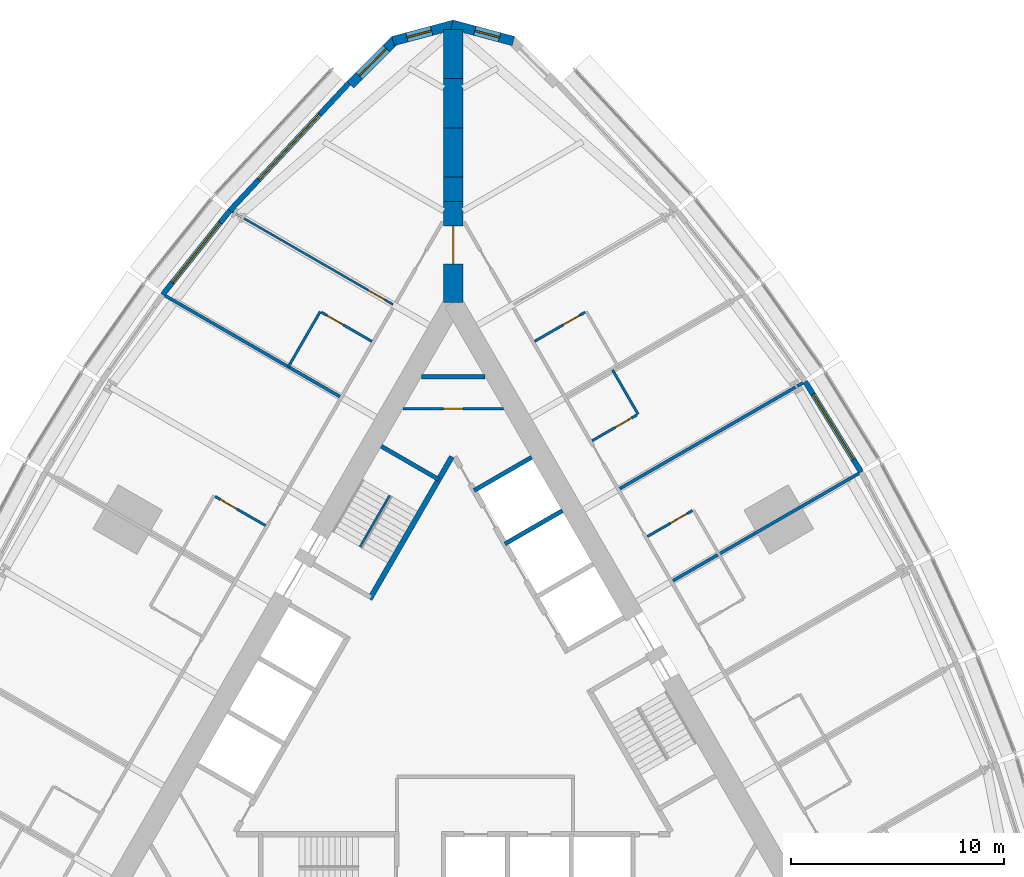
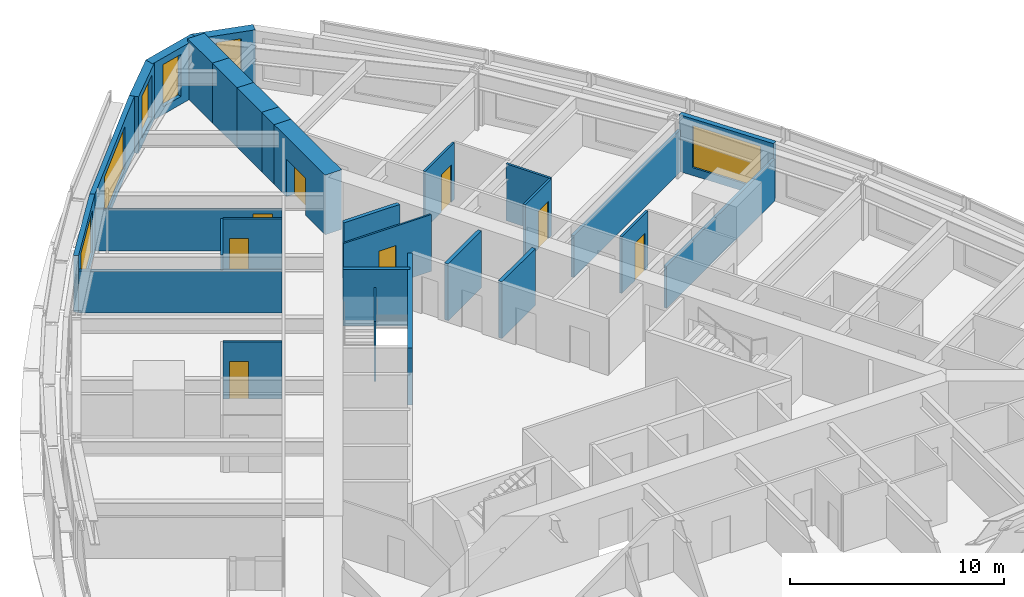
# One storey, part 12 of 14: 29 walls, 8 doors, 6 windows, 14 openings.
"""IFC4 building model written with IfcOpenShell, lengths in metres."""

from ifc_helpers import new_model, si_unit, direction, frame, frame_2d, origin, place, context, subcontext, project, spatial, polyline, rectangle, outline, extrude, material, layer, layer_set, type_object, element, fill, save


model = new_model("IFC4")

# Units and contexts
model_context = context("Model", 3, precision=1e-05, world=origin(), true_north=direction((0.0, 1.0)))
body_context = subcontext(model_context, "Body", "Model", "MODEL_VIEW")
ifc_project = project(units=[si_unit("LENGTHUNIT", "METRE"), si_unit("AREAUNIT", "SQUARE_METRE"), si_unit("VOLUMEUNIT", "CUBIC_METRE"), si_unit("PLANEANGLEUNIT", "RADIAN"), si_unit("MASSUNIT", "GRAM", prefix="KILO")], contexts=[model_context])

# Site, building, storey
site_placement = place(None, origin())
site = spatial("IfcSite", under=ifc_project, at=site_placement, CompositionType="ELEMENT")
building_placement = place(site_placement, origin())
building = spatial("IfcBuilding", under=site, at=building_placement, Name="Trikona Tower", CompositionType="ELEMENT")
storey_placement = place(building_placement, frame((0.0, 0.0, 35.300048828125)))
storey = spatial("IfcBuildingStorey", under=building, at=storey_placement, Name="L07", CompositionType="ELEMENT", Elevation=35.300048828125)

# Wall, opening, door
ifc_material_1 = material(Name="Metal stud and cement board", Category="gypsum")
ifc_layer_1 = layer(ifc_material_1, 0.1201171875)
ifc_layer_set_1 = layer_set([ifc_layer_1], Name="Bathroom wall 120")
wall_type_1 = type_object("IfcWallType", Name="Bathroom wall 120", PredefinedType="PLUMBINGWALL", material=ifc_layer_set_1)
wall_1_placement = place(storey_placement, frame((9.12841796875, 8.04150390625, 0.0), z_axis=(0.0, 0.0, 1.0), x_axis=(0.866005645448, 0.500034220881, 0.0)))
wall_1 = element("IfcWall", 1, at=wall_1_placement, inside=storey, type_object=wall_type_1, Name="Bathroom wall 0711", PredefinedType="PLUMBINGWALL", context=body_context, shape_type="SweptSolid", body=[
    extrude(rectangle(XDim=2.440185546875, YDim=0.1201171875, at=frame_2d((1.22021484375, 0.0))), origin(), (0.0, 0.0, 1.0), 3.23486328125),
])
opening_1_placement = place(wall_1_placement, frame((1.25, 0.0, 0.0)))
opening_1 = element("IfcOpeningElement", 2, at=opening_1_placement, cuts=wall_1, Name="Opening D2", PredefinedType="OPENING", context=body_context, shape_type="SweptSolid", body=[
    extrude(rectangle(XDim=0.89990234375, YDim=2.1298828125, at=frame_2d((0.449951171875, 1.06494140625))), frame((0.0, 0.070068359375, 0.0), z_axis=(0.0, -1.0, 0.0), x_axis=(1.0, 0.0, 0.0)), (0.0, 0.0, 1.0), 0.14013671875),
])
ifc_material_2 = material(Name="Steel door frame with solid-core timber leaf", Category="steel")
door_type_1 = type_object("IfcDoorType", Name="Bathroom door 900x2130", OperationType="SLIDING_TO_LEFT", PredefinedType="DOOR", material=ifc_material_2)
door_1_placement = place(opening_1_placement, origin())
door_1 = element("IfcDoor", 3, at=door_1_placement, inside=storey, type_object=door_type_1, Name="Bathroom door 0711", OperationType="SLIDING_TO_LEFT", OverallHeight=2.1298828125, OverallWidth=0.89990234375, PredefinedType="DOOR", context=body_context, shape_type="SweptSolid", body=[
    extrude(rectangle(XDim=0.89990234375, YDim=2.1298828125, at=frame_2d((0.449951171875, 1.06494140625))), frame((0.0, 0.02490234375, 0.0), z_axis=(0.0, -1.0, 0.0), x_axis=(1.0, 0.0, 0.0)), (0.0, 0.0, 1.0), 0.050048828125),
])
fill(opening_1, door_1)

# Wall
wall_2_placement = place(storey_placement, frame((8.693603515625, 13.794921875, 0.0), z_axis=(0.0, 0.0, 1.0), x_axis=(-0.500077600433, 0.865980596518, 0.0)))
element("IfcWall", 4, at=wall_2_placement, inside=storey, type_object=wall_type_1, Name="Bathroom wall 0712", PredefinedType="PLUMBINGWALL", context=body_context, shape_type="SweptSolid", body=[
    extrude(rectangle(XDim=2.39990234375, YDim=0.1201171875, at=frame_2d((1.199951171875, 0.0))), origin(), (0.0, 0.0, 1.0), 3.23486328125),
])

# Wall, opening, door
wall_3_placement = place(storey_placement, frame((6.528564453125, 12.544921875, 0.0), z_axis=(0.0, 0.0, 1.0), x_axis=(0.866023955769, 0.500002508028, 0.0)))
wall_3 = element("IfcWall", 5, at=wall_3_placement, inside=storey, type_object=wall_type_1, Name="Bathroom wall 0712", PredefinedType="PLUMBINGWALL", context=body_context, shape_type="SweptSolid", body=[
    extrude(rectangle(XDim=2.43994140625, YDim=0.1201171875, at=frame_2d((1.219970703125, 0.0))), origin(), (0.0, 0.0, 1.0), 3.23486328125),
])
opening_2_placement = place(wall_3_placement, frame((1.25, 0.0, 0.0)))
opening_2 = element("IfcOpeningElement", 6, at=opening_2_placement, cuts=wall_3, Name="Opening D2", PredefinedType="OPENING", context=body_context, shape_type="SweptSolid", body=[
    extrude(rectangle(XDim=0.89990234375, YDim=2.1298828125, at=frame_2d((0.449951171875, 1.06494140625))), frame((0.0, 0.070068359375, 0.0), z_axis=(0.0, -1.0, 0.0), x_axis=(1.0, 0.0, 0.0)), (0.0, 0.0, 1.0), 0.14013671875),
])
door_2_placement = place(opening_2_placement, origin())
door_2 = element("IfcDoor", 7, at=door_2_placement, inside=storey, type_object=door_type_1, Name="Bathroom door 0712", OperationType="SLIDING_TO_LEFT", OverallHeight=2.1298828125, OverallWidth=0.89990234375, PredefinedType="DOOR", context=body_context, shape_type="SweptSolid", body=[
    extrude(rectangle(XDim=0.89990234375, YDim=2.1298828125, at=frame_2d((0.449951171875, 1.06494140625))), frame((0.0, 0.02490234375, 0.0), z_axis=(0.0, -1.0, 0.0), x_axis=(1.0, 0.0, 0.0)), (0.0, 0.0, 1.0), 0.050048828125),
])
fill(opening_2, door_2)

wall_4_placement = place(storey_placement, frame((3.82861328125, 17.221435546875, 0.0), z_axis=(0.0, 0.0, 1.0), x_axis=(0.865997131366, 0.500048966069, 0.0)))
wall_4 = element("IfcWall", 8, at=wall_4_placement, inside=storey, type_object=wall_type_1, Name="Bathroom wall 0713.1", PredefinedType="PLUMBINGWALL", context=body_context, shape_type="SweptSolid", body=[
    extrude(rectangle(XDim=2.739990234375, YDim=0.1201171875, at=frame_2d((1.3701171875, 0.0))), origin(), (0.0, 0.0, 1.0), 3.23486328125),
])
opening_3_placement = place(wall_4_placement, frame((1.550048828125, 0.0, 0.0)))
opening_3 = element("IfcOpeningElement", 9, at=opening_3_placement, cuts=wall_4, Name="Opening D2", PredefinedType="OPENING", context=body_context, shape_type="SweptSolid", body=[
    extrude(rectangle(XDim=0.89990234375, YDim=2.1298828125, at=frame_2d((0.449951171875, 1.06494140625))), frame((0.0, 0.070068359375, 0.0), z_axis=(0.0, -1.0, 0.0), x_axis=(1.0, 0.0, 0.0)), (0.0, 0.0, 1.0), 0.14013671875),
])
door_3_placement = place(opening_3_placement, origin())
door_3 = element("IfcDoor", 10, at=door_3_placement, inside=storey, type_object=door_type_1, Name="Bathroom door 0713.1", OperationType="SLIDING_TO_LEFT", OverallHeight=2.1298828125, OverallWidth=0.89990234375, PredefinedType="DOOR", context=body_context, shape_type="SweptSolid", body=[
    extrude(rectangle(XDim=0.89990234375, YDim=2.1298828125, at=frame_2d((0.449951171875, 1.06494140625))), frame((0.0, 0.02490234375, 0.0), z_axis=(0.0, -1.0, 0.0), x_axis=(1.0, 0.0, 0.0)), (0.0, 0.0, 1.0), 0.050048828125),
])
fill(opening_3, door_3)

# Wall
wall_5_placement = place(storey_placement, frame((-6.25341796875, 18.62158203125, 0.0), z_axis=(0.0, 0.0, 1.0), x_axis=(-0.499990139034, -0.866031096941, 0.0)))
element("IfcWall", 11, at=wall_5_placement, inside=storey, type_object=wall_type_1, Name="Bathroom wall 0714.1", PredefinedType="PLUMBINGWALL", context=body_context, shape_type="SweptSolid", body=[
    extrude(rectangle(XDim=3.0, YDim=0.1201171875, at=frame_2d((1.5, 0.0))), origin(), (0.0, 0.0, 1.0), 3.23486328125),
])

# Wall, opening, door
wall_6_placement = place(storey_placement, frame((-3.82861328125, 17.221435546875, 0.0), z_axis=(0.0, 0.0, 1.0), x_axis=(-0.865997131366, 0.500048966069, 0.0)))
wall_6 = element("IfcWall", 12, at=wall_6_placement, inside=storey, type_object=wall_type_1, Name="Bathroom wall 0714.1", PredefinedType="PLUMBINGWALL", context=body_context, shape_type="SweptSolid", body=[
    extrude(rectangle(XDim=2.739990234375, YDim=0.1201171875, at=frame_2d((1.3701171875, 0.0))), origin(), (0.0, 0.0, 1.0), 3.23486328125),
])
opening_4_placement = place(wall_6_placement, frame((1.550048828125, 0.0, 0.0)))
opening_4 = element("IfcOpeningElement", 13, at=opening_4_placement, cuts=wall_6, Name="Opening D2", PredefinedType="OPENING", context=body_context, shape_type="SweptSolid", body=[
    extrude(rectangle(XDim=0.89990234375, YDim=2.1298828125, at=frame_2d((0.449951171875, 1.06494140625))), frame((0.0, 0.070068359375, 0.0), z_axis=(0.0, -1.0, 0.0), x_axis=(1.0, 0.0, 0.0)), (0.0, 0.0, 1.0), 0.14013671875),
])
door_4_placement = place(opening_4_placement, origin())
door_4 = element("IfcDoor", 14, at=door_4_placement, inside=storey, type_object=door_type_1, Name="Bathroom door 0714.1", OperationType="SLIDING_TO_LEFT", OverallHeight=2.1298828125, OverallWidth=0.89990234375, PredefinedType="DOOR", context=body_context, shape_type="SweptSolid", body=[
    extrude(rectangle(XDim=0.89990234375, YDim=2.1298828125, at=frame_2d((0.449951171875, 1.06494140625))), frame((0.0, 0.02490234375, 0.0), z_axis=(0.0, -1.0, 0.0), x_axis=(1.0, 0.0, 0.0)), (0.0, 0.0, 1.0), 0.050048828125),
])
fill(opening_4, door_4)

wall_7_placement = place(storey_placement, frame((-8.82861328125, 8.561279296875, 0.0), z_axis=(0.0, 0.0, 1.0), x_axis=(-0.866035715982, 0.499982138324, 0.0)))
wall_7 = element("IfcWall", 15, at=wall_7_placement, inside=storey, type_object=wall_type_1, Name="Bathroom wall 0715", PredefinedType="PLUMBINGWALL", context=body_context, shape_type="SweptSolid", body=[
    extrude(rectangle(XDim=2.73974609375, YDim=0.1201171875, at=frame_2d((1.369873046875, 0.0))), origin(), (0.0, 0.0, 1.0), 3.23486328125),
])
opening_5_placement = place(wall_7_placement, frame((1.550048828125, 0.0, 0.0)))
opening_5 = element("IfcOpeningElement", 16, at=opening_5_placement, cuts=wall_7, Name="Opening D2", PredefinedType="OPENING", context=body_context, shape_type="SweptSolid", body=[
    extrude(rectangle(XDim=0.89990234375, YDim=2.1298828125, at=frame_2d((0.449951171875, 1.06494140625))), frame((0.0, 0.070068359375, 0.0), z_axis=(0.0, -1.0, 0.0), x_axis=(1.0, 0.0, 0.0)), (0.0, 0.0, 1.0), 0.14013671875),
])
door_5_placement = place(opening_5_placement, origin())
door_5 = element("IfcDoor", 17, at=door_5_placement, inside=storey, type_object=door_type_1, Name="Bathroom door 0715", OperationType="SLIDING_TO_LEFT", OverallHeight=2.1298828125, OverallWidth=0.89990234375, PredefinedType="DOOR", context=body_context, shape_type="SweptSolid", body=[
    extrude(rectangle(XDim=0.89990234375, YDim=2.1298828125, at=frame_2d((0.449951171875, 1.06494140625))), frame((0.0, 0.02490234375, 0.0), z_axis=(0.0, -1.0, 0.0), x_axis=(1.0, 0.0, 0.0)), (0.0, 0.0, 1.0), 0.050048828125),
])
fill(opening_5, door_5)

# Wall, opening, window
ifc_material_3 = material(Name="Brick-faced precast concrete", Category="masonry")
ifc_layer_2 = layer(ifc_material_3, 0.449951171875)
ifc_layer_set_2 = layer_set([ifc_layer_2], Name="Brick-faced corner wall 450")
wall_type_2 = type_object("IfcWallType", Name="Brick-faced corner wall 450", PredefinedType="SOLIDWALL", material=ifc_layer_set_2)
wall_8_placement = place(storey_placement, frame((2.82861328125, 31.3408203125, 0.0), z_axis=(0.0, 0.0, 1.0), x_axis=(-0.965930548995, 0.258801419081, 0.0)))
wall_8 = element("IfcWall", 18, at=wall_8_placement, inside=storey, type_object=wall_type_2, Name="External wall L07-21", PredefinedType="SOLIDWALL", context=body_context, shape_type="SweptSolid", body=[
    extrude(outline(polyline([(2.988525390625, 0.22509765625), (2.92919921875, 0.22509765625), (2.4375, 0.09326171875), (2.40234375, 0.22509765625), (0.0, 0.22509765625), (0.0, -0.22509765625), (2.988525390625, -0.22509765625), (2.988525390625, 0.22509765625)])), origin(), (0.0, 0.0, 1.0), 3.23486328125),
])
opening_6_placement = place(wall_8_placement, frame((0.676025390625, 0.0, 0.449951171875)))
opening_6 = element("IfcOpeningElement", 19, at=opening_6_placement, cuts=wall_8, Name="Opening W1224", PredefinedType="OPENING", context=body_context, shape_type="SweptSolid", body=[
    extrude(rectangle(XDim=1.199951171875, YDim=2.39990234375, at=frame_2d((0.60009765625, 1.199951171875))), frame((0.0, 0.23486328125, 0.0), z_axis=(0.0, -1.0, 0.0), x_axis=(1.0, 0.0, 0.0)), (0.0, 0.0, 1.0), 0.469970703125),
])
ifc_material_4 = material(Name="Aluminium-framed double glazing", Category="aluminium")
window_type_1 = type_object("IfcWindowType", Name="Window 1200x2400", PartitioningType="SINGLE_PANEL", PredefinedType="WINDOW", material=ifc_material_4)
window_1_placement = place(opening_6_placement, origin())
window_1 = element("IfcWindow", 20, at=window_1_placement, inside=storey, type_object=window_type_1, Name="Window 0713", OverallHeight=2.39990234375, OverallWidth=1.199951171875, PartitioningType="SINGLE_PANEL", PredefinedType="WINDOW", context=body_context, shape_type="SweptSolid", body=[
    extrude(rectangle(XDim=1.199951171875, YDim=2.39990234375, at=frame_2d((0.60009765625, 1.199951171875))), frame((0.0, 0.030029296875, 0.0), z_axis=(0.0, -1.0, 0.0), x_axis=(1.0, 0.0, 0.0)), (0.0, 0.0, 1.0), 0.06005859375),
])
fill(opening_6, window_1)

wall_9_placement = place(storey_placement, frame((0.05810546875, 32.1142578125, 0.0), z_axis=(0.0, 0.0, 1.0), x_axis=(-0.965930548995, -0.258801419081, 0.0)))
wall_9 = element("IfcWall", 21, at=wall_9_placement, inside=storey, type_object=wall_type_2, Name="External wall L07-22", PredefinedType="SOLIDWALL", context=body_context, shape_type="SweptSolid", body=[
    extrude(outline(polyline([(2.988525390625, 0.22509765625), (0.58642578125, 0.22509765625), (0.551025390625, 0.09326171875), (0.059326171875, 0.22509765625), (0.0, 0.22509765625), (0.0, -0.22509765625), (2.988525390625, -0.22509765625), (2.988525390625, 0.22509765625)])), origin(), (0.0, 0.0, 1.0), 3.23486328125),
])
opening_7_placement = place(wall_9_placement, frame((1.112548828125, 0.0, 0.449951171875)))
opening_7 = element("IfcOpeningElement", 22, at=opening_7_placement, cuts=wall_9, Name="Opening W1224", PredefinedType="OPENING", context=body_context, shape_type="SweptSolid", body=[
    extrude(rectangle(XDim=1.199951171875, YDim=2.39990234375, at=frame_2d((0.60009765625, 1.199951171875))), frame((0.0, 0.23486328125, 0.0), z_axis=(0.0, -1.0, 0.0), x_axis=(1.0, 0.0, 0.0)), (0.0, 0.0, 1.0), 0.469970703125),
])
window_2_placement = place(opening_7_placement, origin())
window_2 = element("IfcWindow", 23, at=window_2_placement, inside=storey, type_object=window_type_1, Name="Window 0714", OverallHeight=2.39990234375, OverallWidth=1.199951171875, PartitioningType="SINGLE_PANEL", PredefinedType="WINDOW", context=body_context, shape_type="SweptSolid", body=[
    extrude(rectangle(XDim=1.199951171875, YDim=2.39990234375, at=frame_2d((0.60009765625, 1.199951171875))), frame((0.0, 0.030029296875, 0.0), z_axis=(0.0, -1.0, 0.0), x_axis=(1.0, 0.0, 0.0)), (0.0, 0.0, 1.0), 0.06005859375),
])
fill(opening_7, window_2)

wall_10_placement = place(storey_placement, frame((-2.727783203125, 31.39892578125, 0.0), z_axis=(0.0, 0.0, 1.0), x_axis=(-0.707106781187, -0.707106781187, 0.0)))
wall_10 = element("IfcWall", 24, at=wall_10_placement, inside=storey, type_object=wall_type_2, Name="External wall L07-23", PredefinedType="SOLIDWALL", context=body_context, shape_type="SweptSolid", body=[
    extrude(rectangle(XDim=2.98828125, YDim=0.449951171875, at=frame_2d((1.494140625, 0.0))), origin(), (0.0, 0.0, 1.0), 3.23486328125),
])
opening_8_placement = place(wall_10_placement, frame((0.59423828125, 0.0, 0.449951171875)))
opening_8 = element("IfcOpeningElement", 25, at=opening_8_placement, cuts=wall_10, Name="Opening W1824", PredefinedType="OPENING", context=body_context, shape_type="SweptSolid", body=[
    extrude(rectangle(XDim=1.800048828125, YDim=2.39990234375, at=frame_2d((0.89990234375, 1.199951171875))), frame((0.0, 0.23486328125, 0.0), z_axis=(0.0, -1.0, 0.0), x_axis=(1.0, 0.0, 0.0)), (0.0, 0.0, 1.0), 0.469970703125),
])
ifc_material_5 = material(Name="Aluminium-framed double glazing", Category="aluminium")
window_type_2 = type_object("IfcWindowType", Name="Window 1800x2400", PartitioningType="SINGLE_PANEL", PredefinedType="WINDOW", material=ifc_material_5)
window_3_placement = place(opening_8_placement, origin())
window_3 = element("IfcWindow", 26, at=window_3_placement, inside=storey, type_object=window_type_2, Name="Window 0714", OverallHeight=2.39990234375, OverallWidth=1.800048828125, PartitioningType="SINGLE_PANEL", PredefinedType="WINDOW", context=body_context, shape_type="SweptSolid", body=[
    extrude(rectangle(XDim=1.800048828125, YDim=2.39990234375, at=frame_2d((0.89990234375, 1.199951171875))), frame((0.0, 0.030029296875, 0.0), z_axis=(0.0, -1.0, 0.0), x_axis=(1.0, 0.0, 0.0)), (0.0, 0.0, 1.0), 0.06005859375),
])
fill(opening_8, window_3)

# Wall, opening, door
ifc_material_6 = material(Name="Concrete f'c 10000 psi", Category="concrete")
ifc_layer_3 = layer(ifc_material_6, 0.89990234375)
ifc_layer_set_3 = layer_set([ifc_layer_3], Name="Buttress wall 900")
wall_type_3 = type_object("IfcWallType", Name="Buttress wall 900", PredefinedType="SHEAR", material=ifc_layer_set_3)
wall_11_placement = place(storey_placement, frame((0.0, 19.052490234375, 0.0), z_axis=(0.0, 0.0, 1.0), x_axis=(0.0, 1.0, 0.0)))
wall_11 = element("IfcWall", 27, at=wall_11_placement, inside=storey, type_object=wall_type_3, Name="Buttress wall 2", PredefinedType="SHEAR", context=body_context, shape_type="SweptSolid", body=[
    extrude(rectangle(XDim=4.74609375, YDim=0.89990234375, at=frame_2d((2.373046875, 0.0))), origin(), (0.0, 0.0, 1.0), 3.39990234375),
])
opening_9_placement = place(wall_11_placement, frame((1.800048828125, 0.0, 0.0)))
opening_9 = element("IfcOpeningElement", 28, at=opening_9_placement, cuts=wall_11, Name="Opening D10", PredefinedType="OPENING", context=body_context, shape_type="SweptSolid", body=[
    extrude(rectangle(XDim=1.800048828125, YDim=2.1298828125, at=frame_2d((0.89990234375, 1.06494140625))), frame((0.0, 0.4599609375, 0.0), z_axis=(0.0, -1.0, 0.0), x_axis=(1.0, 0.0, 0.0)), (0.0, 0.0, 1.0), 0.919921875),
])
ifc_material_7 = material(Name="Hollow metal door and frame", Category="steel")
door_type_2 = type_object("IfcDoorType", Name="Cross-corridor door pair 1800x2130", OperationType="DOUBLE_DOOR_DOUBLE_SWING", PredefinedType="DOOR", material=ifc_material_7)
door_6_placement = place(opening_9_placement, origin())
door_6 = element("IfcDoor", 29, at=door_6_placement, inside=storey, type_object=door_type_2, Name="Cross-corridor door 2", OperationType="DOUBLE_DOOR_DOUBLE_SWING", OverallHeight=2.1298828125, OverallWidth=1.800048828125, PredefinedType="DOOR", context=body_context, shape_type="SweptSolid", body=[
    extrude(rectangle(XDim=1.800048828125, YDim=2.1298828125, at=frame_2d((0.89990234375, 1.06494140625))), frame((0.0, 0.02490234375, 0.0), z_axis=(0.0, -1.0, 0.0), x_axis=(1.0, 0.0, 0.0)), (0.0, 0.0, 1.0), 0.050048828125),
])
fill(opening_9, door_6)

# Walls
wall_12_placement = place(storey_placement, frame((0.0, 23.798583984375, 0.0), z_axis=(0.0, 0.0, 1.0), x_axis=(0.0, 1.0, 0.0)))
element("IfcWall", 30, at=wall_12_placement, inside=storey, type_object=wall_type_3, Name="Buttress wall 2 part 2", PredefinedType="SHEAR", context=body_context, shape_type="SweptSolid", body=[
    extrude(rectangle(XDim=1.15478515625, YDim=0.89990234375, at=frame_2d((0.577392578125, 0.0))), origin(), (0.0, 0.0, 1.0), 3.39990234375),
])
wall_13_placement = place(storey_placement, frame((0.0, 24.953369140625, 0.0), z_axis=(0.0, 0.0, 1.0), x_axis=(0.0, 1.0, 0.0)))
element("IfcWall", 31, at=wall_13_placement, inside=storey, type_object=wall_type_3, Name="Buttress wall 2 part 3", PredefinedType="SHEAR", context=body_context, shape_type="SweptSolid", body=[
    extrude(rectangle(XDim=2.309326171875, YDim=0.89990234375, at=frame_2d((1.15478515625, 0.0))), origin(), (0.0, 0.0, 1.0), 3.39990234375),
])
wall_14_placement = place(storey_placement, frame((0.0, 27.2626953125, 0.0), z_axis=(0.0, 0.0, 1.0), x_axis=(0.0, 1.0, 0.0)))
element("IfcWall", 32, at=wall_14_placement, inside=storey, type_object=wall_type_3, Name="Buttress wall 2 part 4", PredefinedType="SHEAR", context=body_context, shape_type="SweptSolid", body=[
    extrude(rectangle(XDim=2.3095703125, YDim=0.89990234375, at=frame_2d((1.15478515625, 0.0))), origin(), (0.0, 0.0, 1.0), 3.39990234375),
])
wall_15_placement = place(storey_placement, frame((0.0, 29.572265625, 0.0), z_axis=(0.0, 0.0, 1.0), x_axis=(0.0, 1.0, 0.0)))
element("IfcWall", 33, at=wall_15_placement, inside=storey, type_object=wall_type_3, Name="Buttress wall 2 part 5", PredefinedType="SHEAR", context=body_context, shape_type="SweptSolid", body=[
    extrude(rectangle(XDim=2.309326171875, YDim=0.89990234375, at=frame_2d((1.15478515625, 0.0))), origin(), (0.0, 0.0, 1.0), 3.39990234375),
])
ifc_material_8 = material(Name="Concrete f'c 8000 psi", Category="concrete")
ifc_layer_4 = layer(ifc_material_8, 0.25)
ifc_layer_set_4 = layer_set([ifc_layer_4], Name="Hub wall 250")
wall_type_4 = type_object("IfcWallType", Name="Hub wall 250", PredefinedType="SOLIDWALL", material=ifc_layer_set_4)
wall_16_placement = place(storey_placement, frame((-0.0625, 11.794189453125, 0.0), z_axis=(0.0, 0.0, 1.0), x_axis=(-0.500006680225, -0.86602154692, 0.0)))
element("IfcWall", 34, at=wall_16_placement, inside=storey, type_object=wall_type_4, Name="Lift lobby wall C1", PredefinedType="SOLIDWALL", context=body_context, shape_type="SweptSolid", body=[
    extrude(rectangle(XDim=7.73291015625, YDim=0.25, at=frame_2d((3.866455078125, 0.0))), origin(), (0.0, 0.0, 1.0), 3.23486328125),
])

# Wall, opening, window
ifc_material_9 = material(Name="Insulated precast concrete spandrel panel", Category="concrete")
ifc_layer_5 = layer(ifc_material_9, 0.25)
ifc_layer_set_5 = layer_set([ifc_layer_5], Name="Inner skin wall 250")
wall_type_5 = type_object("IfcWallType", Name="Inner skin wall 250", PredefinedType="STANDARD", material=ifc_layer_set_5)
wall_17_placement = place(storey_placement, frame((19.182373046875, 11.070556640625, 0.0), z_axis=(0.0, 0.0, 1.0), x_axis=(-0.526132807704, 0.850402415717, 0.0)))
wall_17 = element("IfcWall", 35, at=wall_17_placement, inside=storey, type_object=wall_type_5, Name="External wall L07-16", PredefinedType="STANDARD", context=body_context, shape_type="SweptSolid", body=[
    extrude(rectangle(XDim=5.002197265625, YDim=0.25, at=frame_2d((2.5009765625, 0.0))), origin(), (0.0, 0.0, 1.0), 3.23486328125),
])
opening_10_placement = place(wall_17_placement, frame((0.701171875, 0.0, 0.449951171875)))
opening_10 = element("IfcOpeningElement", 36, at=opening_10_placement, cuts=wall_17, Name="Opening W3624", PredefinedType="OPENING", context=body_context, shape_type="SweptSolid", body=[
    extrude(rectangle(XDim=3.60009765625, YDim=2.39990234375, at=frame_2d((1.800048828125, 1.199951171875))), frame((0.0, 0.135009765625, 0.0), z_axis=(0.0, -1.0, 0.0), x_axis=(1.0, 0.0, 0.0)), (0.0, 0.0, 1.0), 0.27001953125),
])
ifc_material_10 = material(Name="Aluminium-framed double glazing", Category="aluminium")
window_type_3 = type_object("IfcWindowType", Name="Window 3600x2400", PartitioningType="SINGLE_PANEL", PredefinedType="WINDOW", material=ifc_material_10)
window_4_placement = place(opening_10_placement, origin())
window_4 = element("IfcWindow", 37, at=window_4_placement, inside=storey, type_object=window_type_3, Name="Window 0711", OverallHeight=2.39990234375, OverallWidth=3.60009765625, PartitioningType="SINGLE_PANEL", PredefinedType="WINDOW", context=body_context, shape_type="SweptSolid", body=[
    extrude(rectangle(XDim=3.60009765625, YDim=2.39990234375, at=frame_2d((1.800048828125, 1.199951171875))), frame((0.0, 0.030029296875, 0.0), z_axis=(0.0, -1.0, 0.0), x_axis=(1.0, 0.0, 0.0)), (0.0, 0.0, 1.0), 0.06005859375),
])
fill(opening_10, window_4)

wall_18_placement = place(storey_placement, frame((-4.90869140625, 29.359619140625, 0.0), z_axis=(0.0, 0.0, 1.0), x_axis=(-0.682289646561, -0.731081964075, 0.0)))
wall_18 = element("IfcWall", 38, at=wall_18_placement, inside=storey, type_object=wall_type_5, Name="External wall L07-24", PredefinedType="STANDARD", context=body_context, shape_type="SweptSolid", body=[
    extrude(rectangle(XDim=8.2109375, YDim=0.25, at=frame_2d((4.10546875, 0.0))), origin(), (0.0, 0.0, 1.0), 3.23486328125),
])
opening_11_placement = place(wall_18_placement, frame((2.005615234375, 0.0, 0.449951171875)))
opening_11 = element("IfcOpeningElement", 39, at=opening_11_placement, cuts=wall_18, Name="Opening W4224", PredefinedType="OPENING", context=body_context, shape_type="SweptSolid", body=[
    extrude(rectangle(XDim=4.199951171875, YDim=2.39990234375, at=frame_2d((2.10009765625, 1.199951171875))), frame((0.0, 0.135009765625, 0.0), z_axis=(0.0, -1.0, 0.0), x_axis=(1.0, 0.0, 0.0)), (0.0, 0.0, 1.0), 0.27001953125),
])
ifc_material_11 = material(Name="Aluminium-framed double glazing", Category="aluminium")
window_type_4 = type_object("IfcWindowType", Name="Window 4200x2400", PartitioningType="SINGLE_PANEL", PredefinedType="WINDOW", material=ifc_material_11)
window_5_placement = place(opening_11_placement, origin())
window_5 = element("IfcWindow", 40, at=window_5_placement, inside=storey, type_object=window_type_4, Name="Window 0714", OverallHeight=2.39990234375, OverallWidth=4.199951171875, PartitioningType="SINGLE_PANEL", PredefinedType="WINDOW", context=body_context, shape_type="SweptSolid", body=[
    extrude(rectangle(XDim=4.199951171875, YDim=2.39990234375, at=frame_2d((2.10009765625, 1.199951171875))), frame((0.0, 0.030029296875, 0.0), z_axis=(0.0, -1.0, 0.0), x_axis=(1.0, 0.0, 0.0)), (0.0, 0.0, 1.0), 0.06005859375),
])
fill(opening_11, window_5)

wall_19_placement = place(storey_placement, frame((-10.5048828125, 23.36376953125, 0.0), z_axis=(0.0, 0.0, 1.0), x_axis=(-0.624594965756, -0.780948864364, 0.0)))
wall_19 = element("IfcWall", 41, at=wall_19_placement, inside=storey, type_object=wall_type_5, Name="External wall L07-25", PredefinedType="STANDARD", context=body_context, shape_type="SweptSolid", body=[
    extrude(rectangle(XDim=5.0576171875, YDim=0.25, at=frame_2d((2.52880859375, 0.0))), origin(), (0.0, 0.0, 1.0), 3.23486328125),
])
opening_12_placement = place(wall_19_placement, frame((0.728759765625, 0.0, 0.449951171875)))
opening_12 = element("IfcOpeningElement", 42, at=opening_12_placement, cuts=wall_19, Name="Opening W3624", PredefinedType="OPENING", context=body_context, shape_type="SweptSolid", body=[
    extrude(rectangle(XDim=3.60009765625, YDim=2.39990234375, at=frame_2d((1.800048828125, 1.199951171875))), frame((0.0, 0.135009765625, 0.0), z_axis=(0.0, -1.0, 0.0), x_axis=(1.0, 0.0, 0.0)), (0.0, 0.0, 1.0), 0.27001953125),
])
window_6_placement = place(opening_12_placement, origin())
window_6 = element("IfcWindow", 43, at=window_6_placement, inside=storey, type_object=window_type_3, Name="Window 0714.1", OverallHeight=2.39990234375, OverallWidth=3.60009765625, PartitioningType="SINGLE_PANEL", PredefinedType="WINDOW", context=body_context, shape_type="SweptSolid", body=[
    extrude(rectangle(XDim=3.60009765625, YDim=2.39990234375, at=frame_2d((1.800048828125, 1.199951171875))), frame((0.0, 0.030029296875, 0.0), z_axis=(0.0, -1.0, 0.0), x_axis=(1.0, 0.0, 0.0)), (0.0, 0.0, 1.0), 0.06005859375),
])
fill(opening_12, window_6)

# Walls
ifc_material_12 = material(Name="Metal stud and gypsum board, 1-hour acoustic", Category="gypsum")
ifc_layer_6 = layer(ifc_material_12, 0.14990234375)
ifc_layer_set_6 = layer_set([ifc_layer_6], Name="Party wall 150")
wall_type_6 = type_object("IfcWallType", Name="Party wall 150", PredefinedType="PARTITIONING", material=ifc_layer_set_6)
wall_20_placement = place(storey_placement, frame((10.32861328125, 5.963134765625, 0.0), z_axis=(0.0, 0.0, 1.0), x_axis=(0.866021688545, 0.500006434927, 0.0)))
element("IfcWall", 44, at=wall_20_placement, inside=storey, type_object=wall_type_6, Name="Partition L07 F2 u0", PredefinedType="PARTITIONING", context=body_context, shape_type="SweptSolid", body=[
    extrude(rectangle(XDim=10.095947265625, YDim=0.14990234375, at=frame_2d((5.0478515625, 0.0))), origin(), (0.0, 0.0, 1.0), 2.38916015625),
])
wall_21_placement = place(storey_placement, frame((7.82861328125, 10.293212890625, 0.0), z_axis=(0.0, 0.0, 1.0), x_axis=(0.866016302457, 0.50001576363, 0.0)))
element("IfcWall", 45, at=wall_21_placement, inside=storey, type_object=wall_type_6, Name="Partition L07 F2 u5", PredefinedType="PARTITIONING", context=body_context, shape_type="SweptSolid", body=[
    extrude(rectangle(XDim=9.943115234375, YDim=0.14990234375, at=frame_2d((4.9716796875, 0.0))), origin(), (0.0, 0.0, 1.0), 2.38916015625),
])
wall_22_placement = place(storey_placement, frame((-5.32861328125, 14.623291015625, 0.0), z_axis=(0.0, 0.0, 1.0), x_axis=(-0.866018409083, 0.500012114982, 0.0)))
element("IfcWall", 46, at=wall_22_placement, inside=storey, type_object=wall_type_6, Name="Partition L07 F3 u-10", PredefinedType="PARTITIONING", context=body_context, shape_type="SweptSolid", body=[
    extrude(rectangle(XDim=9.484619140625, YDim=0.14990234375, at=frame_2d((4.7421875, 0.0))), origin(), (0.0, 0.0, 1.0), 2.38916015625),
])
ifc_material_13 = material(Name="Concrete f'c 8000 psi", Category="concrete")
ifc_layer_7 = layer(ifc_material_13, 0.199951171875)
ifc_layer_set_7 = layer_set([ifc_layer_7], Name="Shaft wall 200")
wall_type_7 = type_object("IfcWallType", Name="Shaft wall 200", PredefinedType="SOLIDWALL", material=ifc_layer_set_7)
for number, where, z_axis, x_axis, name in (
    (47, (2.428955078125, 7.695556640625, 0.0), (0.0, 0.0, 1.0), (0.866022959057, 0.500004234368, 0.0), "Shaft wall B5"),
    (48, (0.97900390625, 10.20703125, 0.0), (0.0, 0.0, 1.0), (0.866022959057, 0.500004234368, 0.0), "Shaft wall B6"),
):
    element("IfcWall", number, at=place(storey_placement, frame(where, z_axis=z_axis, x_axis=x_axis)), inside=storey, type_object=wall_type_7, Name=name, PredefinedType="SOLIDWALL", context=body_context, shape_type="SweptSolid", body=[
        extrude(rectangle(XDim=3.125, YDim=0.199951171875, at=frame_2d((1.5625, 0.0))), origin(), (0.0, 0.0, 1.0), 3.23486328125),
    ])
wall_23_placement = place(storey_placement, frame((-1.501220703125, 15.552490234375, 0.0), z_axis=(0.0, 0.0, 1.0), x_axis=(1.0, 0.0, 0.0)))
element("IfcWall", 49, at=wall_23_placement, inside=storey, type_object=wall_type_7, Name="Riser wall L07-RS2", PredefinedType="SOLIDWALL", context=body_context, shape_type="SweptSolid", body=[
    extrude(rectangle(XDim=3.00244140625, YDim=0.199951171875, at=frame_2d((1.501220703125, 0.0))), origin(), (0.0, 0.0, 1.0), 3.23486328125),
])
ifc_material_14 = material(Name="Concrete f'c 8000 psi", Category="concrete")
ifc_layer_8 = layer(ifc_material_14, 0.199951171875)
ifc_layer_set_8 = layer_set([ifc_layer_8], Name="Shaft wall 200 load-bearing")
wall_type_8 = type_object("IfcWallType", Name="Shaft wall 200 load-bearing", PredefinedType="SOLIDWALL", material=ifc_layer_set_8)
wall_24_placement = place(storey_placement, frame((-0.678955078125, 10.7265625, 0.0), z_axis=(0.0, 0.0, 1.0), x_axis=(-0.866022959057, 0.500004234368, 0.0)))
element("IfcWall", 50, at=wall_24_placement, inside=storey, type_object=wall_type_8, Name="Shaft wall C1", PredefinedType="SOLIDWALL", context=body_context, shape_type="SweptSolid", body=[
    extrude(rectangle(XDim=3.125, YDim=0.199951171875, at=frame_2d((1.5625, 0.0))), origin(), (0.0, 0.0, 1.0), 3.23486328125),
])
ifc_material_15 = material(Name="Concrete f'c 5000 psi", Category="concrete")
ifc_layer_9 = layer(ifc_material_15, 0.10009765625)
ifc_layer_set_9 = layer_set([ifc_layer_9], Name="Stair spine wall 100")
wall_type_9 = type_object("IfcWallType", Name="Stair spine wall 100", PredefinedType="SOLIDWALL", material=ifc_layer_set_9)
wall_25_placement = place(storey_placement, frame((-2.98779296875, 9.9775390625, 0.0), z_axis=(0.0, 0.0, 1.0), x_axis=(-0.499992232847, -0.866029888106, 0.0)))
element("IfcWall", 51, at=wall_25_placement, inside=storey, type_object=wall_type_9, Name="Stair C spine wall L07", PredefinedType="SOLIDWALL", context=body_context, shape_type="SweptSolid", body=[
    extrude(rectangle(XDim=2.7939453125, YDim=0.10009765625, at=frame_2d((1.39697265625, 0.0))), origin(), (0.0, 0.0, 1.0), 3.39990234375),
])

# Wall, opening, door
ifc_material_16 = material(Name="Metal stud and gypsum board, acoustic", Category="gypsum")
ifc_layer_10 = layer(ifc_material_16, 0.10009765625)
ifc_layer_set_10 = layer_set([ifc_layer_10], Name="Suite partition 100")
wall_type_10 = type_object("IfcWallType", Name="Suite partition 100", PredefinedType="PARTITIONING", material=ifc_layer_set_10)
wall_26_placement = place(storey_placement, frame((-2.82861328125, 18.95361328125, 0.0), z_axis=(0.0, 0.0, 1.0), x_axis=(-0.866020536561, 0.500008430184, 0.0)))
wall_26 = element("IfcWall", 52, at=wall_26_placement, inside=storey, type_object=wall_type_10, Name="Suite partition L07 F3 u-15", PredefinedType="PARTITIONING", context=body_context, shape_type="SweptSolid", body=[
    extrude(rectangle(XDim=8.719970703125, YDim=0.10009765625, at=frame_2d((4.35986328125, 0.0))), origin(), (0.0, 0.0, 1.0), 2.38916015625),
])
opening_13_placement = place(wall_26_placement, frame((0.449951171875, 0.0, 0.0)))
opening_13 = element("IfcOpeningElement", 53, at=opening_13_placement, cuts=wall_26, Name="Opening D13", PredefinedType="OPENING", context=body_context, shape_type="SweptSolid", body=[
    extrude(rectangle(XDim=0.89990234375, YDim=2.1298828125, at=frame_2d((0.449951171875, 1.06494140625))), frame((0.0, 0.06005859375, 0.0), z_axis=(0.0, -1.0, 0.0), x_axis=(1.0, 0.0, 0.0)), (0.0, 0.0, 1.0), 0.1201171875),
])
ifc_material_17 = material(Name="Steel door frame with solid-core timber leaf", Category="steel")
door_type_3 = type_object("IfcDoorType", Name="Suite door 900x2130", OperationType="SINGLE_SWING_LEFT", PredefinedType="DOOR", material=ifc_material_17)
door_7_placement = place(opening_13_placement, origin())
door_7 = element("IfcDoor", 54, at=door_7_placement, inside=storey, type_object=door_type_3, Name="Suite door 0714", OperationType="SINGLE_SWING_LEFT", OverallHeight=2.1298828125, OverallWidth=0.89990234375, PredefinedType="DOOR", context=body_context, shape_type="SweptSolid", body=[
    extrude(rectangle(XDim=0.89990234375, YDim=2.1298828125, at=frame_2d((0.449951171875, 1.06494140625))), frame((0.0, 0.02490234375, 0.0), z_axis=(0.0, -1.0, 0.0), x_axis=(1.0, 0.0, 0.0)), (0.0, 0.0, 1.0), 0.050048828125),
])
fill(opening_13, door_7)

wall_27_placement = place(storey_placement, frame((-2.3671875, 14.052490234375, 0.0), z_axis=(0.0, 0.0, 1.0), x_axis=(1.0, 0.0, 0.0)))
wall_27 = element("IfcWall", 55, at=wall_27_placement, inside=storey, type_object=wall_type_10, Name="Store partition L07-RS2", PredefinedType="PARTITIONING", context=body_context, shape_type="SweptSolid", body=[
    extrude(rectangle(XDim=4.734375, YDim=0.10009765625, at=frame_2d((2.3671875, 0.0))), origin(), (0.0, 0.0, 1.0), 3.23486328125),
])
opening_14_placement = place(wall_27_placement, frame((1.9169921875, 0.0, 0.0)))
opening_14 = element("IfcOpeningElement", 56, at=opening_14_placement, cuts=wall_27, Name="Opening D15", PredefinedType="OPENING", context=body_context, shape_type="SweptSolid", body=[
    extrude(rectangle(XDim=0.89990234375, YDim=2.1298828125, at=frame_2d((0.449951171875, 1.06494140625))), frame((0.0, 0.06005859375, 0.0), z_axis=(0.0, -1.0, 0.0), x_axis=(1.0, 0.0, 0.0)), (0.0, 0.0, 1.0), 0.1201171875),
])
ifc_material_18 = material(Name="Steel door frame with solid-core timber leaf", Category="steel")
door_type_4 = type_object("IfcDoorType", Name="Store door 900x2130", OperationType="SINGLE_SWING_LEFT", PredefinedType="DOOR", material=ifc_material_18)
door_8_placement = place(opening_14_placement, origin())
door_8 = element("IfcDoor", 57, at=door_8_placement, inside=storey, type_object=door_type_4, Name="Door Storage STO", OperationType="SINGLE_SWING_LEFT", OverallHeight=2.1298828125, OverallWidth=0.89990234375, PredefinedType="DOOR", context=body_context, shape_type="SweptSolid", body=[
    extrude(rectangle(XDim=0.89990234375, YDim=2.1298828125, at=frame_2d((0.449951171875, 1.06494140625))), frame((0.0, 0.02490234375, 0.0), z_axis=(0.0, -1.0, 0.0), x_axis=(1.0, 0.0, 0.0)), (0.0, 0.0, 1.0), 0.050048828125),
])
fill(opening_14, door_8)

save(model, "model.ifc")
